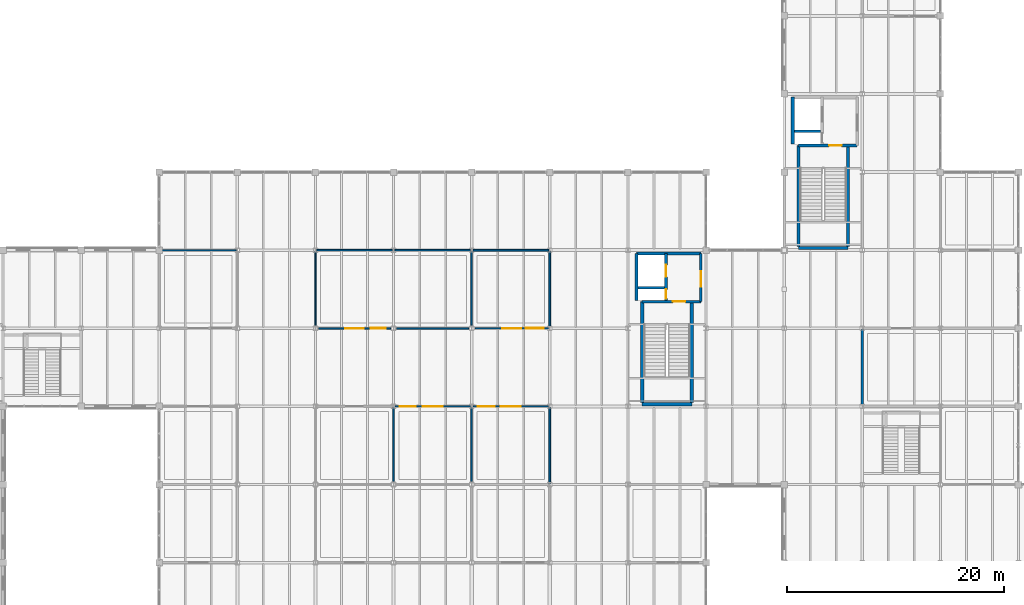
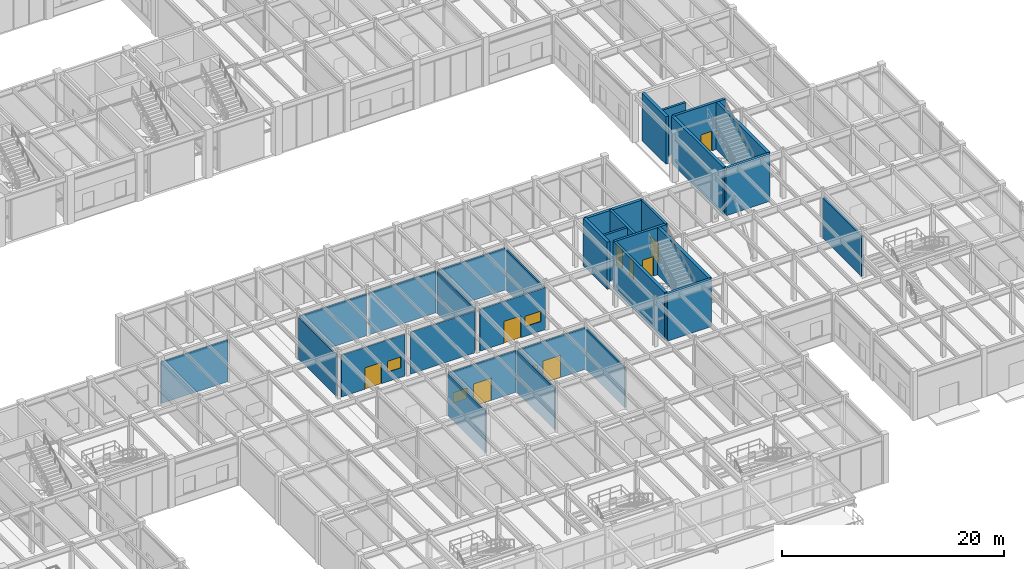
# One storey, part 37 of 97: 31 walls, 9 doors, 4 windows, 13 openings.
"""IFC4 building model written with IfcOpenShell, lengths in metres."""

from ifc_helpers import new_model, si_unit, direction, frame, frame_2d, origin, place, context, subcontext, project, spatial, rectangle, extrude, material, layer, layer_set, type_object, element, fill, save


model = new_model("IFC4")

# Units and contexts
model_context = context("Model", 3, precision=1e-05, world=origin(), true_north=direction((0.0, 1.0)))
body_context = subcontext(model_context, "Body", "Model", "MODEL_VIEW")
ifc_project = project(units=[si_unit("LENGTHUNIT", "METRE"), si_unit("AREAUNIT", "SQUARE_METRE"), si_unit("VOLUMEUNIT", "CUBIC_METRE"), si_unit("PLANEANGLEUNIT", "RADIAN"), si_unit("MASSUNIT", "GRAM", prefix="KILO")], contexts=[model_context])

# Site, building, storey
site_placement = place(None, origin())
site = spatial("IfcSite", under=ifc_project, at=site_placement, CompositionType="ELEMENT")
building_placement = place(site_placement, origin())
building = spatial("IfcBuilding", under=site, at=building_placement, Name="Sillqori Civic Hall", CompositionType="ELEMENT")
storey_placement = place(building_placement, origin())
storey = spatial("IfcBuildingStorey", under=building, at=storey_placement, Name="L01", CompositionType="ELEMENT", Elevation=0.0)

# Walls
ifc_material_1 = material(Name="Concrete C35/45 (H35)", Category="concrete")
ifc_layer_1 = layer(ifc_material_1, 0.219970703125)
ifc_layer_set_1 = layer_set([ifc_layer_1], Name="Concrete C35/45 (H35)")
wall_type_1 = type_object("IfcWallType", Name="CW-SHR-220", PredefinedType="SHEAR", material=ifc_layer_set_1)
wall_1_placement = place(storey_placement, frame((123.35009765625, 61.35009765625, 0.0), z_axis=(0.0, 0.0, 1.0), x_axis=(1.0, 0.0, 0.0)))
element("IfcWall", 1, at=wall_1_placement, inside=storey, type_object=wall_type_1, Name="L01 C2 Lift-riser divider wall", PredefinedType="SHEAR", context=body_context, shape_type="SweptSolid", body=[
    extrude(rectangle(XDim=2.39990234375, YDim=0.219970703125, at=frame_2d((1.199951171875, 0.0))), origin(), (0.0, 0.0, 1.0), 5.199951171875),
])
wall_2_placement = place(storey_placement, frame((108.949951171875, 46.949951171875, 0.0), z_axis=(0.0, 0.0, 1.0), x_axis=(1.0, 0.0, 0.0)))
element("IfcWall", 2, at=wall_2_placement, inside=storey, type_object=wall_type_1, Name="L01 C3 Lift-riser divider wall", PredefinedType="SHEAR", context=body_context, shape_type="SweptSolid", body=[
    extrude(rectangle(XDim=2.400146484375, YDim=0.219970703125, at=frame_2d((1.2001953125, 0.0))), origin(), (0.0, 0.0, 1.0), 5.199951171875),
])

# Wall, opening, door
wall_3_placement = place(storey_placement, frame((114.719970703125, 50.10009765625, 0.0), z_axis=(0.0, 0.0, 1.0), x_axis=(0.0, -1.0, 0.0)))
wall_3 = element("IfcWall", 3, at=wall_3_placement, inside=storey, type_object=wall_type_1, Name="L01 C3 firefighting lobby enclosure wall", PredefinedType="SHEAR", context=body_context, shape_type="SweptSolid", body=[
    extrude(rectangle(XDim=4.4501953125, YDim=0.219970703125, at=frame_2d((2.22509765625, 0.0))), origin(), (0.0, 0.0, 1.0), 5.199951171875),
])
opening_1_placement = place(wall_3_placement, frame((1.625, 0.0, 0.0)))
opening_1 = element("IfcOpeningElement", 4, at=opening_1_placement, cuts=wall_3, Name="Opening FD-03", PredefinedType="OPENING", context=body_context, shape_type="SweptSolid", body=[
    extrude(rectangle(XDim=1.449951171875, YDim=2.199951171875, at=frame_2d((0.72509765625, 1.10009765625))), frame((0.0, 0.119873046875, 0.0), z_axis=(0.0, -1.0, 0.0), x_axis=(1.0, 0.0, 0.0)), (0.0, 0.0, 1.0), 0.239990234375),
])
ifc_material_2 = material(Name="Double-Leaf Smoke-Seal Lobby Door", Category="steel")
door_type_1 = type_object("IfcDoorType", Name="FDR-LOB-145X220", OperationType="NOTDEFINED", PredefinedType="DOOR", material=ifc_material_2)
door_1_placement = place(opening_1_placement, origin())
door_1 = element("IfcDoor", 5, at=door_1_placement, inside=storey, type_object=door_type_1, Name="L01 C3 firefighting lobby exit door", OperationType="DOUBLE_DOOR_SINGLE_SWING", OverallHeight=2.199951171875, OverallWidth=1.449951171875, PredefinedType="DOOR", context=body_context, shape_type="SweptSolid", body=[
    extrude(rectangle(XDim=1.449951171875, YDim=2.199951171875, at=frame_2d((0.72509765625, 1.10009765625))), frame((0.0, 0.02490234375, 0.0), z_axis=(0.0, -1.0, 0.0), x_axis=(1.0, 0.0, 0.0)), (0.0, 0.0, 1.0), 0.050048828125),
])
fill(opening_1, door_1)

ifc_layer_2 = layer(ifc_material_1, 0.260009765625)
ifc_layer_set_2 = layer_set([ifc_layer_2], Name="Concrete C35/45 (H35)")
wall_type_2 = type_object("IfcWallType", Name="CW-SHR-260", PredefinedType="SHEAR", material=ifc_layer_set_2)
wall_4_placement = place(storey_placement, frame((123.7099609375, 60.050048828125, 0.0), z_axis=(0.0, 0.0, 1.0), x_axis=(1.0, 0.0, 0.0)))
wall_4 = element("IfcWall", 6, at=wall_4_placement, inside=storey, type_object=wall_type_2, Name="L01 C2 Stair-lobby fire wall", PredefinedType="SHEAR", context=body_context, shape_type="SweptSolid", body=[
    extrude(rectangle(XDim=5.41015625, YDim=0.260009765625, at=frame_2d((2.705078125, 0.0))), origin(), (0.0, 0.0, 1.0), 5.199951171875),
])
opening_2_placement = place(wall_4_placement, frame((2.840087890625, 0.0, 0.0)))
opening_2 = element("IfcOpeningElement", 7, at=opening_2_placement, cuts=wall_4, Name="Opening FD-01", PredefinedType="OPENING", context=body_context, shape_type="SweptSolid", body=[
    extrude(rectangle(XDim=1.14990234375, YDim=2.14990234375, at=frame_2d((0.574951171875, 1.074951171875))), frame((0.0, 0.139892578125, 0.0), z_axis=(0.0, -1.0, 0.0), x_axis=(1.0, 0.0, 0.0)), (0.0, 0.0, 1.0), 0.280029296875),
])
ifc_material_3 = material(Name="Galvanized Steel Fire Door FD90S", Category="steel")
door_type_2 = type_object("IfcDoorType", Name="FDR-STR-115X215", OperationType="NOTDEFINED", PredefinedType="DOOR", material=ifc_material_3)
door_2_placement = place(opening_2_placement, origin())
door_2 = element("IfcDoor", 8, at=door_2_placement, inside=storey, type_object=door_type_2, Name="L01 stair ST-02 fire door", OperationType="SINGLE_SWING_RIGHT", OverallHeight=2.14990234375, OverallWidth=1.14990234375, PredefinedType="DOOR", context=body_context, shape_type="SweptSolid", body=[
    extrude(rectangle(XDim=1.14990234375, YDim=2.14990234375, at=frame_2d((0.574951171875, 1.074951171875))), frame((0.0, 0.02490234375, 0.0), z_axis=(0.0, -1.0, 0.0), x_axis=(1.0, 0.0, 0.0)), (0.0, 0.0, 1.0), 0.050048828125),
])
fill(opening_2, door_2)

wall_5_placement = place(storey_placement, frame((109.31005859375, 45.64990234375, 0.0), z_axis=(0.0, 0.0, 1.0), x_axis=(1.0, 0.0, 0.0)))
wall_5 = element("IfcWall", 9, at=wall_5_placement, inside=storey, type_object=wall_type_2, Name="L01 C3 Stair-lobby fire wall", PredefinedType="SHEAR", context=body_context, shape_type="SweptSolid", body=[
    extrude(rectangle(XDim=5.409912109375, YDim=0.260009765625, at=frame_2d((2.705078125, 0.0))), origin(), (0.0, 0.0, 1.0), 5.199951171875),
])
opening_3_placement = place(wall_5_placement, frame((2.840087890625, 0.0, 0.0)))
opening_3 = element("IfcOpeningElement", 10, at=opening_3_placement, cuts=wall_5, Name="Opening FD-01", PredefinedType="OPENING", context=body_context, shape_type="SweptSolid", body=[
    extrude(rectangle(XDim=1.14990234375, YDim=2.14990234375, at=frame_2d((0.574951171875, 1.074951171875))), frame((0.0, 0.139892578125, 0.0), z_axis=(0.0, -1.0, 0.0), x_axis=(1.0, 0.0, 0.0)), (0.0, 0.0, 1.0), 0.280029296875),
])
door_3_placement = place(opening_3_placement, origin())
door_3 = element("IfcDoor", 11, at=door_3_placement, inside=storey, type_object=door_type_2, Name="L01 stair ST-03 fire door", OperationType="SINGLE_SWING_RIGHT", OverallHeight=2.14990234375, OverallWidth=1.14990234375, PredefinedType="DOOR", context=body_context, shape_type="SweptSolid", body=[
    extrude(rectangle(XDim=1.14990234375, YDim=2.14990234375, at=frame_2d((0.574951171875, 1.074951171875))), frame((0.0, 0.02490234375, 0.0), z_axis=(0.0, -1.0, 0.0), x_axis=(1.0, 0.0, 0.0)), (0.0, 0.0, 1.0), 0.050048828125),
])
fill(opening_3, door_3)

# Wall, openings, doors
wall_6_placement = place(storey_placement, frame((111.5, 50.10009765625, 0.0), z_axis=(0.0, 0.0, 1.0), x_axis=(0.0, -1.0, 0.0)))
wall_6 = element("IfcWall", 12, at=wall_6_placement, inside=storey, type_object=wall_type_2, Name="L01 C3 Lift landing & riser front wall", PredefinedType="SHEAR", context=body_context, shape_type="SweptSolid", body=[
    extrude(rectangle(XDim=4.320068359375, YDim=0.260009765625, at=frame_2d((2.16015625, 0.0))), origin(), (0.0, 0.0, 1.0), 5.199951171875),
])
opening_4_placement = place(wall_6_placement, frame((1.050048828125, 0.0, 0.0)))
opening_4 = element("IfcOpeningElement", 13, at=opening_4_placement, cuts=wall_6, Name="Opening LD-01", PredefinedType="OPENING", context=body_context, shape_type="SweptSolid", body=[
    extrude(rectangle(XDim=1.10009765625, YDim=2.14990234375, at=frame_2d((0.550048828125, 1.074951171875))), frame((0.0, 0.139892578125, 0.0), z_axis=(0.0, -1.0, 0.0), x_axis=(1.0, 0.0, 0.0)), (0.0, 0.0, 1.0), 0.280029296875),
])
opening_5_placement = place(wall_6_placement, frame((3.324951171875, 0.0, 0.0)))
opening_5 = element("IfcOpeningElement", 14, at=opening_5_placement, cuts=wall_6, Name="Opening FD-05", PredefinedType="OPENING", context=body_context, shape_type="SweptSolid", body=[
    extrude(rectangle(XDim=0.85009765625, YDim=2.050048828125, at=frame_2d((0.425048828125, 1.02490234375))), frame((0.0, 0.139892578125, 0.0), z_axis=(0.0, -1.0, 0.0), x_axis=(1.0, 0.0, 0.0)), (0.0, 0.0, 1.0), 0.280029296875),
])
ifc_material_4 = material(Name="Steel Riser Access Fire Door", Category="steel")
door_type_3 = type_object("IfcDoorType", Name="FDR-RSR-085X205", OperationType="NOTDEFINED", PredefinedType="DOOR", material=ifc_material_4)
door_4_placement = place(opening_5_placement, origin())
door_4 = element("IfcDoor", 15, at=door_4_placement, inside=storey, type_object=door_type_3, Name="L01 MEP riser C3 fire access door", OperationType="SINGLE_SWING_LEFT", OverallHeight=2.050048828125, OverallWidth=0.85009765625, PredefinedType="DOOR", context=body_context, shape_type="SweptSolid", body=[
    extrude(rectangle(XDim=0.85009765625, YDim=2.050048828125, at=frame_2d((0.425048828125, 1.02490234375))), frame((0.0, 0.02490234375, 0.0), z_axis=(0.0, -1.0, 0.0), x_axis=(1.0, 0.0, 0.0)), (0.0, 0.0, 1.0), 0.050048828125),
])
fill(opening_5, door_4)
ifc_material_5 = material(Name="Stainless Steel Lift Landing Door", Category="steel")
door_type_4 = type_object("IfcDoorType", Name="LDR-PASS-110X215", OperationType="NOTDEFINED", PredefinedType="DOOR", material=ifc_material_5)
door_5_placement = place(opening_4_placement, origin())
door_5 = element("IfcDoor", 16, at=door_5_placement, inside=storey, type_object=door_type_4, Name="L01 lift LF-05 sliding landing door", OperationType="DOUBLE_DOOR_SLIDING", OverallHeight=2.14990234375, OverallWidth=1.10009765625, PredefinedType="DOOR", context=body_context, shape_type="SweptSolid", body=[
    extrude(rectangle(XDim=1.10009765625, YDim=2.14990234375, at=frame_2d((0.550048828125, 1.074951171875))), frame((0.0, 0.02490234375, 0.0), z_axis=(0.0, -1.0, 0.0), x_axis=(1.0, 0.0, 0.0)), (0.0, 0.0, 1.0), 0.050048828125),
])
fill(opening_4, door_5)

# Walls
ifc_layer_3 = layer(ifc_material_1, 0.300048828125)
ifc_layer_set_3 = layer_set([ifc_layer_3], Name="Concrete C35/45 (H35)")
wall_type_3 = type_object("IfcWallType", Name="CW-SHR-300", PredefinedType="SHEAR", material=ifc_layer_set_3)
wall_7_placement = place(storey_placement, frame((123.7099609375, 50.60009765625, 0.0), z_axis=(0.0, 0.0, 1.0), x_axis=(1.0, 0.0, 0.0)))
element("IfcWall", 17, at=wall_7_placement, inside=storey, type_object=wall_type_3, Name="L01 C2 Stair south shear wall", PredefinedType="SHEAR", context=body_context, shape_type="SweptSolid", body=[
    extrude(rectangle(XDim=4.580078125, YDim=0.300048828125, at=frame_2d((2.2900390625, 0.0))), origin(), (0.0, 0.0, 1.0), 5.199951171875),
])
for number, where, z_axis, x_axis, name in (
    (18, (123.7099609375, 50.75, 0.0), (0.0, 0.0, 1.0), (0.0, 1.0, 0.0), "L01 C2 Stair west shear wall"),
    (19, (128.2900390625, 50.75, 0.0), (0.0, 0.0, 1.0), (0.0, 1.0, 0.0), "L01 C2 Stair east shear wall"),
):
    element("IfcWall", number, at=place(storey_placement, frame(where, z_axis=z_axis, x_axis=x_axis)), inside=storey, type_object=wall_type_3, Name=name, PredefinedType="SHEAR", context=body_context, shape_type="SweptSolid", body=[
        extrude(rectangle(XDim=9.300048828125, YDim=0.300048828125, at=frame_2d((4.64990234375, 0.0))), origin(), (0.0, 0.0, 1.0), 5.199951171875),
    ])
wall_8_placement = place(storey_placement, frame((123.199951171875, 60.179931640625, 0.0), z_axis=(0.0, 0.0, 1.0), x_axis=(0.0, 1.0, 0.0)))
element("IfcWall", 20, at=wall_8_placement, inside=storey, type_object=wall_type_3, Name="L01 C2 Lift shaft west shear wall", PredefinedType="SHEAR", context=body_context, shape_type="SweptSolid", body=[
    extrude(rectangle(XDim=4.320068359375, YDim=0.300048828125, at=frame_2d((2.16015625, 0.0))), origin(), (0.0, 0.0, 1.0), 5.199951171875),
])
wall_9_placement = place(storey_placement, frame((109.31005859375, 36.199951171875, 0.0), z_axis=(0.0, 0.0, 1.0), x_axis=(1.0, 0.0, 0.0)))
element("IfcWall", 21, at=wall_9_placement, inside=storey, type_object=wall_type_3, Name="L01 C3 Stair south shear wall", PredefinedType="SHEAR", context=body_context, shape_type="SweptSolid", body=[
    extrude(rectangle(XDim=4.579833984375, YDim=0.300048828125, at=frame_2d((2.2900390625, 0.0))), origin(), (0.0, 0.0, 1.0), 5.199951171875),
])
for number, where, z_axis, x_axis, name in (
    (22, (109.31005859375, 36.35009765625, 0.0), (0.0, 0.0, 1.0), (0.0, 1.0, 0.0), "L01 C3 Stair west shear wall"),
    (23, (113.889892578125, 36.35009765625, 0.0), (0.0, 0.0, 1.0), (0.0, 1.0, 0.0), "L01 C3 Stair east shear wall"),
):
    element("IfcWall", number, at=place(storey_placement, frame(where, z_axis=z_axis, x_axis=x_axis)), inside=storey, type_object=wall_type_3, Name=name, PredefinedType="SHEAR", context=body_context, shape_type="SweptSolid", body=[
        extrude(rectangle(XDim=9.2998046875, YDim=0.300048828125, at=frame_2d((4.64990234375, 0.0))), origin(), (0.0, 0.0, 1.0), 5.199951171875),
    ])
wall_10_placement = place(storey_placement, frame((108.800048828125, 45.780029296875, 0.0), z_axis=(0.0, 0.0, 1.0), x_axis=(0.0, 1.0, 0.0)))
element("IfcWall", 24, at=wall_10_placement, inside=storey, type_object=wall_type_3, Name="L01 C3 Lift shaft west shear wall", PredefinedType="SHEAR", context=body_context, shape_type="SweptSolid", body=[
    extrude(rectangle(XDim=4.320068359375, YDim=0.300048828125, at=frame_2d((2.16015625, 0.0))), origin(), (0.0, 0.0, 1.0), 5.199951171875),
])
wall_11_placement = place(storey_placement, frame((108.800048828125, 50.10009765625, 0.0), z_axis=(0.0, 0.0, 1.0), x_axis=(1.0, 0.0, 0.0)))
element("IfcWall", 25, at=wall_11_placement, inside=storey, type_object=wall_type_3, Name="L01 C3 Core north shear wall", PredefinedType="SHEAR", context=body_context, shape_type="SweptSolid", body=[
    extrude(rectangle(XDim=5.919921875, YDim=0.300048828125, at=frame_2d((2.9599609375, 0.0))), origin(), (0.0, 0.0, 1.0), 5.199951171875),
])
ifc_material_6 = material(Name="Acoustic Steel-Stud Partition 108", Category="steel")
ifc_layer_4 = layer(ifc_material_6, 0.10791015625)
ifc_layer_set_4 = layer_set([ifc_layer_4], Name="Acoustic Steel-Stud Partition 108")
wall_type_4 = type_object("IfcWallType", Name="PT-GYP-108", PredefinedType="PARTITIONING", material=ifc_layer_set_4)
wall_12_placement = place(storey_placement, frame((64.919921875, 50.39990234375, 0.0), z_axis=(0.0, 0.0, 1.0), x_axis=(1.0, 0.0, 0.0)))
element("IfcWall", 26, at=wall_12_placement, inside=storey, type_object=wall_type_4, Name="Public Cafe and Andean Civic Salon partition N2", PredefinedType="PARTITIONING", context=body_context, shape_type="SweptSolid", body=[
    extrude(rectangle(XDim=6.9599609375, YDim=0.10791015625, at=frame_2d((3.47998046875, 0.0))), origin(), (0.0, 0.0, 1.0), 4.587890625),
])
ifc_material_7 = material(Name="Double-Board Acoustic Partition 128", Category="gypsum")
ifc_layer_5 = layer(ifc_material_7, 0.1279296875)
ifc_layer_set_5 = layer_set([ifc_layer_5], Name="Double-Board Acoustic Partition 128")
wall_type_5 = type_object("IfcWallType", Name="PT-GYP-128", PredefinedType="PARTITIONING", material=ifc_layer_set_5)
wall_13_placement = place(storey_placement, frame((86.39990234375, 35.8798828125, 0.0), z_axis=(0.0, 0.0, 1.0), x_axis=(0.0, -1.0, 0.0)))
element("IfcWall", 27, at=wall_13_placement, inside=storey, type_object=wall_type_5, Name="Community Neighbourhood Assembly Room partition E4", PredefinedType="PARTITIONING", context=body_context, shape_type="SweptSolid", body=[
    extrude(rectangle(XDim=6.7998046875, YDim=0.1279296875, at=frame_2d((3.39990234375, 0.0))), origin(), (0.0, 0.0, 1.0), 4.587890625),
])

# Wall, openings, door, window
ifc_material_8 = material(Name="Double-Board Acoustic Partition 135", Category="gypsum")
ifc_layer_6 = layer(ifc_material_8, 0.135009765625)
ifc_layer_set_6 = layer_set([ifc_layer_6], Name="Double-Board Acoustic Partition 135")
wall_type_6 = type_object("IfcWallType", Name="PT-GYP-135", PredefinedType="PARTITIONING", material=ifc_layer_set_6)
wall_14_placement = place(storey_placement, frame((86.1201171875, 43.199951171875, 0.0), z_axis=(0.0, 0.0, 1.0), x_axis=(-1.0, 0.0, 0.0)))
wall_14 = element("IfcWall", 28, at=wall_14_placement, inside=storey, type_object=wall_type_6, Name="Citizen Waiting and Queue Management Lounge partition S1", PredefinedType="PARTITIONING", context=body_context, shape_type="SweptSolid", body=[
    extrude(rectangle(XDim=6.64013671875, YDim=0.135009765625, at=frame_2d((3.320068359375, 0.0))), origin(), (0.0, 0.0, 1.0), 4.587890625),
])
opening_6_placement = place(wall_14_placement, frame((2.469970703125, 0.0, 0.0)))
opening_6 = element("IfcOpeningElement", 29, at=opening_6_placement, cuts=wall_14, Name="Opening ID-06", PredefinedType="OPENING", context=body_context, shape_type="SweptSolid", body=[
    extrude(rectangle(XDim=1.699951171875, YDim=2.35009765625, at=frame_2d((0.85009765625, 1.175048828125))), frame((0.0, 0.077392578125, 0.0), z_axis=(0.0, -1.0, 0.0), x_axis=(1.0, 0.0, 0.0)), (0.0, 0.0, 1.0), 0.155029296875),
])
opening_7_placement = place(wall_14_placement, frame((0.449951171875, 0.0, 1.050048828125)))
opening_7 = element("IfcOpeningElement", 30, at=opening_7_placement, cuts=wall_14, Name="Opening IW-08", PredefinedType="OPENING", context=body_context, shape_type="SweptSolid", body=[
    extrude(rectangle(XDim=1.39990234375, YDim=1.199951171875, at=frame_2d((0.699951171875, 0.60009765625))), frame((0.0, 0.077392578125, 0.0), z_axis=(0.0, -1.0, 0.0), x_axis=(1.0, 0.0, 0.0)), (0.0, 0.0, 1.0), 0.155029296875),
])
ifc_material_9 = material(Name="Revenue Hall Glazed Double Door", Category="aluminium")
door_type_5 = type_object("IfcDoorType", Name="IDR-CSC-170X235", OperationType="NOTDEFINED", PredefinedType="DOOR", material=ifc_material_9)
door_6_placement = place(opening_6_placement, origin())
door_6 = element("IfcDoor", 31, at=door_6_placement, inside=storey, type_object=door_type_5, Name="Citizen Waiting and Queue Management Lounge entrance door", OperationType="DOUBLE_DOOR_SINGLE_SWING", OverallHeight=2.35009765625, OverallWidth=1.699951171875, PredefinedType="DOOR", context=body_context, shape_type="SweptSolid", body=[
    extrude(rectangle(XDim=1.699951171875, YDim=2.35009765625, at=frame_2d((0.85009765625, 1.175048828125))), frame((0.0, 0.02490234375, 0.0), z_axis=(0.0, -1.0, 0.0), x_axis=(1.0, 0.0, 0.0)), (0.0, 0.0, 1.0), 0.050048828125),
])
fill(opening_6, door_6)
ifc_material_10 = material(Name="Acoustic Laminated Interior Clerestory Glazing", Category="glass")
window_type_1 = type_object("IfcWindowType", Name="IWN-STU-140X120", PartitioningType="SINGLE_PANEL", PredefinedType="WINDOW", material=ifc_material_10)
window_1_placement = place(opening_7_placement, origin())
window_1 = element("IfcWindow", 32, at=window_1_placement, inside=storey, type_object=window_type_1, Name="Citizen Waiting and Queue Management Lounge borrowed-light screen", OverallHeight=1.199951171875, OverallWidth=1.39990234375, PartitioningType="SINGLE_PANEL", PredefinedType="WINDOW", context=body_context, shape_type="SweptSolid", body=[
    extrude(rectangle(XDim=1.39990234375, YDim=1.199951171875, at=frame_2d((0.699951171875, 0.60009765625))), frame((0.0, 0.030029296875, 0.0), z_axis=(0.0, -1.0, 0.0), x_axis=(1.0, 0.0, 0.0)), (0.0, 0.0, 1.0), 0.06005859375),
])
fill(opening_7, window_1)

# Walls
wall_15_placement = place(storey_placement, frame((93.320068359375, 43.199951171875, 0.0), z_axis=(0.0, 0.0, 1.0), x_axis=(-1.0, 0.0, 0.0)))
element("IfcWall", 33, at=wall_15_placement, inside=storey, type_object=wall_type_6, Name="Citizen Waiting and Queue Management Lounge partition S2", PredefinedType="PARTITIONING", context=body_context, shape_type="SweptSolid", body=[
    extrude(rectangle(XDim=6.64013671875, YDim=0.135009765625, at=frame_2d((3.320068359375, 0.0))), origin(), (0.0, 0.0, 1.0), 4.587890625),
])
for number, where, z_axis, x_axis, name in (
    (34, (79.320068359375, 50.39990234375, 0.0), (0.0, 0.0, 1.0), (1.0, 0.0, 0.0), "Citizen Waiting and Queue Management Lounge partition N3"),
    (35, (86.52001953125, 50.39990234375, 0.0), (0.0, 0.0, 1.0), (1.0, 0.0, 0.0), "Citizen Waiting and Queue Management Lounge partition N4"),
):
    element("IfcWall", number, at=place(storey_placement, frame(where, z_axis=z_axis, x_axis=x_axis)), inside=storey, type_object=wall_type_6, Name=name, PredefinedType="PARTITIONING", context=body_context, shape_type="SweptSolid", body=[
        extrude(rectangle(XDim=6.9599609375, YDim=0.135009765625, at=frame_2d((3.47998046875, 0.0))), origin(), (0.0, 0.0, 1.0), 4.587890625),
    ])
for number, where, z_axis, x_axis, name in (
    (36, (79.199951171875, 43.47998046875, 0.0), (0.0, 0.0, 1.0), (0.0, 1.0, 0.0), "Citizen Waiting and Queue Management Lounge partition W5"),
    (37, (93.60009765625, 50.280029296875, 0.0), (0.0, 0.0, 1.0), (0.0, -1.0, 0.0), "Citizen Waiting and Queue Management Lounge partition E6"),
):
    element("IfcWall", number, at=place(storey_placement, frame(where, z_axis=z_axis, x_axis=x_axis)), inside=storey, type_object=wall_type_6, Name=name, PredefinedType="PARTITIONING", context=body_context, shape_type="SweptSolid", body=[
        extrude(rectangle(XDim=6.800048828125, YDim=0.135009765625, at=frame_2d((3.39990234375, 0.0))), origin(), (0.0, 0.0, 1.0), 4.587890625),
    ])

# Wall, openings, door, window
ifc_material_11 = material(Name="Corridor Rated Partition 142", Category="gypsum")
ifc_layer_7 = layer(ifc_material_11, 0.14208984375)
ifc_layer_set_7 = layer_set([ifc_layer_7], Name="Corridor Rated Partition 142")
wall_type_7 = type_object("IfcWallType", Name="PT-GYP-142", PredefinedType="PARTITIONING", material=ifc_layer_set_7)
wall_16_placement = place(storey_placement, frame((86.52001953125, 36.0, 0.0), z_axis=(0.0, 0.0, 1.0), x_axis=(1.0, 0.0, 0.0)))
wall_16 = element("IfcWall", 38, at=wall_16_placement, inside=storey, type_object=wall_type_7, Name="Citizens Service Centre One-Stop Counter Hall L01-08 partition N1", PredefinedType="PARTITIONING", context=body_context, shape_type="SweptSolid", body=[
    extrude(rectangle(XDim=6.9599609375, YDim=0.14208984375, at=frame_2d((3.47998046875, 0.0))), origin(), (0.0, 0.0, 1.0), 4.587890625),
])
opening_8_placement = place(wall_16_placement, frame((2.554931640625, 0.0, 0.0)))
opening_8 = element("IfcOpeningElement", 39, at=opening_8_placement, cuts=wall_16, Name="Opening ID-05", PredefinedType="OPENING", context=body_context, shape_type="SweptSolid", body=[
    extrude(rectangle(XDim=1.85009765625, YDim=2.449951171875, at=frame_2d((0.925048828125, 1.22509765625))), frame((0.0, 0.0810546875, 0.0), z_axis=(0.0, -1.0, 0.0), x_axis=(1.0, 0.0, 0.0)), (0.0, 0.0, 1.0), 0.162109375),
])
opening_9_placement = place(wall_16_placement, frame((0.449951171875, 0.0, 1.050048828125)))
opening_9 = element("IfcOpeningElement", 40, at=opening_9_placement, cuts=wall_16, Name="Opening IW-09", PredefinedType="OPENING", context=body_context, shape_type="SweptSolid", body=[
    extrude(rectangle(XDim=1.449951171875, YDim=1.14990234375, at=frame_2d((0.72509765625, 0.574951171875))), frame((0.0, 0.0810546875, 0.0), z_axis=(0.0, -1.0, 0.0), x_axis=(1.0, 0.0, 0.0)), (0.0, 0.0, 1.0), 0.162109375),
])
ifc_material_12 = material(Name="Citizens Counter Glazed Double Door", Category="aluminium")
door_type_6 = type_object("IfcDoorType", Name="IDR-CSC-185X245", OperationType="NOTDEFINED", PredefinedType="DOOR", material=ifc_material_12)
door_7_placement = place(opening_8_placement, origin())
door_7 = element("IfcDoor", 41, at=door_7_placement, inside=storey, type_object=door_type_6, Name="Citizens Service Centre One-Stop Counter Hall L01-08 entrance door", OperationType="DOUBLE_DOOR_SINGLE_SWING", OverallHeight=2.449951171875, OverallWidth=1.85009765625, PredefinedType="DOOR", context=body_context, shape_type="SweptSolid", body=[
    extrude(rectangle(XDim=1.85009765625, YDim=2.449951171875, at=frame_2d((0.925048828125, 1.22509765625))), frame((0.0, 0.02490234375, 0.0), z_axis=(0.0, -1.0, 0.0), x_axis=(1.0, 0.0, 0.0)), (0.0, 0.0, 1.0), 0.050048828125),
])
fill(opening_8, door_7)
window_type_2 = type_object("IfcWindowType", Name="IWN-STU-145X115", PartitioningType="SINGLE_PANEL", PredefinedType="WINDOW", material=ifc_material_10)
window_2_placement = place(opening_9_placement, origin())
window_2 = element("IfcWindow", 42, at=window_2_placement, inside=storey, type_object=window_type_2, Name="Citizens Service Centre One-Stop Counter Hall L01-08 borrowed-light screen", OverallHeight=1.14990234375, OverallWidth=1.449951171875, PartitioningType="SINGLE_PANEL", PredefinedType="WINDOW", context=body_context, shape_type="SweptSolid", body=[
    extrude(rectangle(XDim=1.449951171875, YDim=1.14990234375, at=frame_2d((0.72509765625, 0.574951171875))), frame((0.0, 0.030029296875, 0.0), z_axis=(0.0, -1.0, 0.0), x_axis=(1.0, 0.0, 0.0)), (0.0, 0.0, 1.0), 0.06005859375),
])
fill(opening_9, window_2)

# Wall
wall_17_placement = place(storey_placement, frame((93.60009765625, 35.8798828125, 0.0), z_axis=(0.0, 0.0, 1.0), x_axis=(0.0, -1.0, 0.0)))
element("IfcWall", 43, at=wall_17_placement, inside=storey, type_object=wall_type_7, Name="Citizens Service Centre One-Stop Counter Hall L01-08 partition E4", PredefinedType="PARTITIONING", context=body_context, shape_type="SweptSolid", body=[
    extrude(rectangle(XDim=6.7998046875, YDim=0.14208984375, at=frame_2d((3.39990234375, 0.0))), origin(), (0.0, 0.0, 1.0), 4.587890625),
])

# Wall, openings, door, window
ifc_material_13 = material(Name="Hearing Acoustic Partition 154", Category="gypsum")
ifc_layer_8 = layer(ifc_material_13, 0.154052734375)
ifc_layer_set_8 = layer_set([ifc_layer_8], Name="Hearing Acoustic Partition 154")
wall_type_8 = type_object("IfcWallType", Name="PT-GYP-154", PredefinedType="PARTITIONING", material=ifc_layer_set_8)
wall_18_placement = place(storey_placement, frame((93.719970703125, 36.0, 0.0), z_axis=(0.0, 0.0, 1.0), x_axis=(1.0, 0.0, 0.0)))
wall_18 = element("IfcWall", 44, at=wall_18_placement, inside=storey, type_object=wall_type_8, Name="Civil Registry Births and Marriages Counter L01-10 partition N1", PredefinedType="PARTITIONING", context=body_context, shape_type="SweptSolid", body=[
    extrude(rectangle(XDim=6.9599609375, YDim=0.154052734375, at=frame_2d((3.47998046875, 0.0))), origin(), (0.0, 0.0, 1.0), 4.587890625),
])
opening_10_placement = place(wall_18_placement, frame((2.554931640625, 0.0, 0.0)))
opening_10 = element("IfcOpeningElement", 45, at=opening_10_placement, cuts=wall_18, Name="Opening ID-05", PredefinedType="OPENING", context=body_context, shape_type="SweptSolid", body=[
    extrude(rectangle(XDim=1.85009765625, YDim=2.449951171875, at=frame_2d((0.925048828125, 1.22509765625))), frame((0.0, 0.0869140625, 0.0), z_axis=(0.0, -1.0, 0.0), x_axis=(1.0, 0.0, 0.0)), (0.0, 0.0, 1.0), 0.174072265625),
])
opening_11_placement = place(wall_18_placement, frame((0.449951171875, 0.0, 1.050048828125)))
opening_11 = element("IfcOpeningElement", 46, at=opening_11_placement, cuts=wall_18, Name="Opening IW-11", PredefinedType="OPENING", context=body_context, shape_type="SweptSolid", body=[
    extrude(rectangle(XDim=1.550048828125, YDim=1.14990234375, at=frame_2d((0.77490234375, 0.574951171875))), frame((0.0, 0.0869140625, 0.0), z_axis=(0.0, -1.0, 0.0), x_axis=(1.0, 0.0, 0.0)), (0.0, 0.0, 1.0), 0.174072265625),
])
door_8_placement = place(opening_10_placement, origin())
door_8 = element("IfcDoor", 47, at=door_8_placement, inside=storey, type_object=door_type_6, Name="Civil Registry Births and Marriages Counter L01-10 entrance door", OperationType="DOUBLE_DOOR_SINGLE_SWING", OverallHeight=2.449951171875, OverallWidth=1.85009765625, PredefinedType="DOOR", context=body_context, shape_type="SweptSolid", body=[
    extrude(rectangle(XDim=1.85009765625, YDim=2.449951171875, at=frame_2d((0.925048828125, 1.22509765625))), frame((0.0, 0.02490234375, 0.0), z_axis=(0.0, -1.0, 0.0), x_axis=(1.0, 0.0, 0.0)), (0.0, 0.0, 1.0), 0.050048828125),
])
fill(opening_10, door_8)
window_type_3 = type_object("IfcWindowType", Name="IWN-STU-155X115", PartitioningType="SINGLE_PANEL", PredefinedType="WINDOW", material=ifc_material_10)
window_3_placement = place(opening_11_placement, origin())
window_3 = element("IfcWindow", 48, at=window_3_placement, inside=storey, type_object=window_type_3, Name="Civil Registry Births and Marriages Counter L01-10 borrowed-light screen", OverallHeight=1.14990234375, OverallWidth=1.550048828125, PartitioningType="SINGLE_PANEL", PredefinedType="WINDOW", context=body_context, shape_type="SweptSolid", body=[
    extrude(rectangle(XDim=1.550048828125, YDim=1.14990234375, at=frame_2d((0.77490234375, 0.574951171875))), frame((0.0, 0.030029296875, 0.0), z_axis=(0.0, -1.0, 0.0), x_axis=(1.0, 0.0, 0.0)), (0.0, 0.0, 1.0), 0.06005859375),
])
fill(opening_11, window_3)

# Wall
wall_19_placement = place(storey_placement, frame((100.800048828125, 35.8798828125, 0.0), z_axis=(0.0, 0.0, 1.0), x_axis=(0.0, -1.0, 0.0)))
element("IfcWall", 49, at=wall_19_placement, inside=storey, type_object=wall_type_8, Name="Civil Registry Births and Marriages Counter L01-10 partition E4", PredefinedType="PARTITIONING", context=body_context, shape_type="SweptSolid", body=[
    extrude(rectangle(XDim=6.9599609375, YDim=0.154052734375, at=frame_2d((3.47998046875, 0.0))), origin(), (0.0, 0.0, 1.0), 4.427978515625),
])

# Wall, openings, door, window
ifc_material_14 = material(Name="Hearing Acoustic Partition 158", Category="gypsum")
ifc_layer_9 = layer(ifc_material_14, 0.157958984375)
ifc_layer_set_9 = layer_set([ifc_layer_9], Name="Hearing Acoustic Partition 158")
wall_type_9 = type_object("IfcWallType", Name="PT-GYP-158", PredefinedType="PARTITIONING", material=ifc_layer_set_9)
wall_20_placement = place(storey_placement, frame((100.679931640625, 43.199951171875, 0.0), z_axis=(0.0, 0.0, 1.0), x_axis=(-1.0, 0.0, 0.0)))
wall_20 = element("IfcWall", 50, at=wall_20_placement, inside=storey, type_object=wall_type_9, Name="Public Cafe and Andean Civic Salon L01-11 partition S1", PredefinedType="PARTITIONING", context=body_context, shape_type="SweptSolid", body=[
    extrude(rectangle(XDim=6.800048828125, YDim=0.157958984375, at=frame_2d((3.39990234375, 0.0))), origin(), (0.0, 0.0, 1.0), 4.587890625),
])
opening_12_placement = place(wall_20_placement, frame((2.52490234375, 0.0, 0.0)))
opening_12 = element("IfcOpeningElement", 51, at=opening_12_placement, cuts=wall_20, Name="Opening ID-07", PredefinedType="OPENING", context=body_context, shape_type="SweptSolid", body=[
    extrude(rectangle(XDim=1.75, YDim=2.39990234375, at=frame_2d((0.875, 1.199951171875))), frame((0.0, 0.0888671875, 0.0), z_axis=(0.0, -1.0, 0.0), x_axis=(1.0, 0.0, 0.0)), (0.0, 0.0, 1.0), 0.177978515625),
])
opening_13_placement = place(wall_20_placement, frame((0.449951171875, 0.0, 1.050048828125)))
opening_13 = element("IfcOpeningElement", 52, at=opening_13_placement, cuts=wall_20, Name="Opening IW-12", PredefinedType="OPENING", context=body_context, shape_type="SweptSolid", body=[
    extrude(rectangle(XDim=1.64990234375, YDim=1.14990234375, at=frame_2d((0.824951171875, 0.574951171875))), frame((0.0, 0.0888671875, 0.0), z_axis=(0.0, -1.0, 0.0), x_axis=(1.0, 0.0, 0.0)), (0.0, 0.0, 1.0), 0.177978515625),
])
ifc_material_15 = material(Name="Civic Cafe Framed Glass Door", Category="glass")
door_type_7 = type_object("IfcDoorType", Name="IDR-CAF-175X240", OperationType="NOTDEFINED", PredefinedType="DOOR", material=ifc_material_15)
door_9_placement = place(opening_12_placement, origin())
door_9 = element("IfcDoor", 53, at=door_9_placement, inside=storey, type_object=door_type_7, Name="Public Cafe and Andean Civic Salon L01-11 entrance door", OperationType="DOUBLE_DOOR_SINGLE_SWING", OverallHeight=2.39990234375, OverallWidth=1.75, PredefinedType="DOOR", context=body_context, shape_type="SweptSolid", body=[
    extrude(rectangle(XDim=1.75, YDim=2.39990234375, at=frame_2d((0.875, 1.199951171875))), frame((0.0, 0.02490234375, 0.0), z_axis=(0.0, -1.0, 0.0), x_axis=(1.0, 0.0, 0.0)), (0.0, 0.0, 1.0), 0.050048828125),
])
fill(opening_12, door_9)
window_type_4 = type_object("IfcWindowType", Name="IWN-STU-165X115", PartitioningType="SINGLE_PANEL", PredefinedType="WINDOW", material=ifc_material_10)
window_4_placement = place(opening_13_placement, origin())
window_4 = element("IfcWindow", 54, at=window_4_placement, inside=storey, type_object=window_type_4, Name="Public Cafe and Andean Civic Salon L01-11 borrowed-light screen", OverallHeight=1.14990234375, OverallWidth=1.64990234375, PartitioningType="SINGLE_PANEL", PredefinedType="WINDOW", context=body_context, shape_type="SweptSolid", body=[
    extrude(rectangle(XDim=1.64990234375, YDim=1.14990234375, at=frame_2d((0.824951171875, 0.574951171875))), frame((0.0, 0.030029296875, 0.0), z_axis=(0.0, -1.0, 0.0), x_axis=(1.0, 0.0, 0.0)), (0.0, 0.0, 1.0), 0.06005859375),
])
fill(opening_13, window_4)

# Walls
wall_21_placement = place(storey_placement, frame((93.719970703125, 50.39990234375, 0.0), z_axis=(0.0, 0.0, 1.0), x_axis=(1.0, 0.0, 0.0)))
element("IfcWall", 55, at=wall_21_placement, inside=storey, type_object=wall_type_9, Name="Public Cafe and Andean Civic Salon L01-11 partition N2", PredefinedType="PARTITIONING", context=body_context, shape_type="SweptSolid", body=[
    extrude(rectangle(XDim=6.9599609375, YDim=0.157958984375, at=frame_2d((3.47998046875, 0.0))), origin(), (0.0, 0.0, 1.0), 4.587890625),
])
wall_22_placement = place(storey_placement, frame((100.800048828125, 50.280029296875, 0.0), z_axis=(0.0, 0.0, 1.0), x_axis=(0.0, -1.0, 0.0)))
element("IfcWall", 56, at=wall_22_placement, inside=storey, type_object=wall_type_9, Name="Public Cafe and Andean Civic Salon L01-11 partition E4", PredefinedType="PARTITIONING", context=body_context, shape_type="SweptSolid", body=[
    extrude(rectangle(XDim=6.9599609375, YDim=0.157958984375, at=frame_2d((3.47998046875, 0.0))), origin(), (0.0, 0.0, 1.0), 4.427978515625),
])
ifc_material_16 = material(Name="Concrete C25/30 (H25)", Category="concrete")
ifc_layer_10 = layer(ifc_material_16, 0.2119140625)
ifc_layer_set_10 = layer_set([ifc_layer_10], Name="Concrete C25/30 (H25)")
wall_type_10 = type_object("IfcWallType", Name="PT-MAS-212", PredefinedType="PARTITIONING", material=ifc_layer_set_10)
wall_23_placement = place(storey_placement, frame((129.60009765625, 36.1201171875, 0.0), z_axis=(0.0, 0.0, 1.0), x_axis=(0.0, 1.0, 0.0)))
element("IfcWall", 57, at=wall_23_placement, inside=storey, type_object=wall_type_10, Name="Members Library Ground Periodicals Reading Room partition W5", PredefinedType="PARTITIONING", context=body_context, shape_type="SweptSolid", body=[
    extrude(rectangle(XDim=6.9599609375, YDim=0.2119140625, at=frame_2d((3.47998046875, 0.0))), origin(), (0.0, 0.0, 1.0), 4.427978515625),
])

save(model, "model.ifc")
